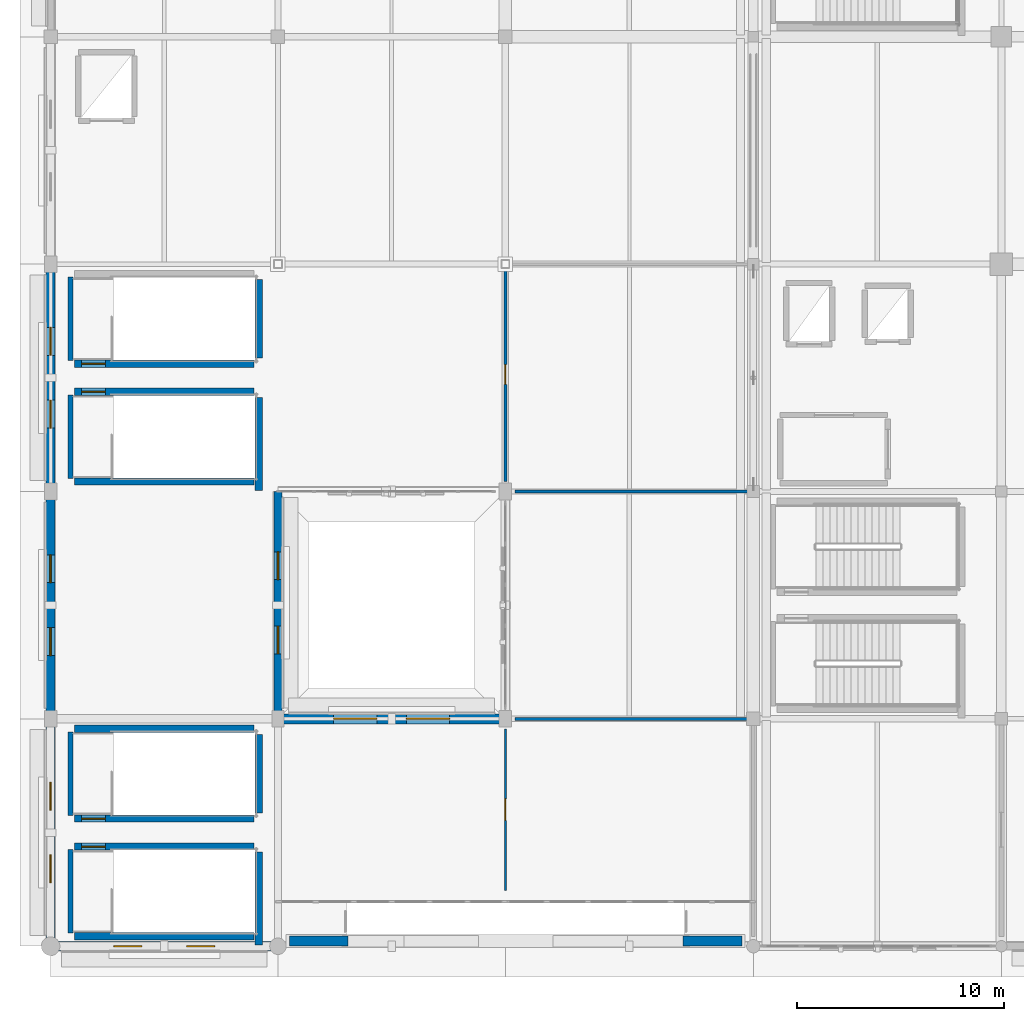
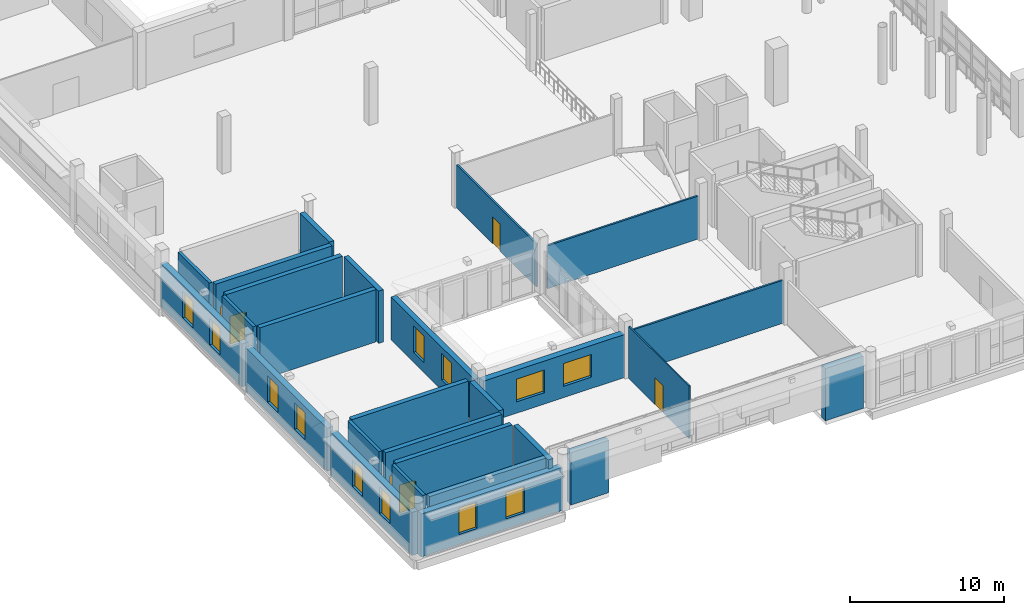
# One storey, part 79 of 118: 27 walls, 12 windows, 6 doors, 18 openings.
"""IFC4 building model written with IfcOpenShell, lengths in metres."""

from ifc_helpers import new_model, si_unit, direction, frame, frame_2d, origin, place, context, subcontext, project, spatial, rectangle, extrude, material, layer, layer_set, type_object, element, fill, save


model = new_model("IFC4")

# Units and contexts
model_context = context("Model", 3, precision=1e-05, world=origin(), true_north=direction((0.0, 1.0)))
body_context = subcontext(model_context, "Body", "Model", "MODEL_VIEW")
ifc_project = project(units=[si_unit("LENGTHUNIT", "METRE"), si_unit("AREAUNIT", "SQUARE_METRE"), si_unit("VOLUMEUNIT", "CUBIC_METRE"), si_unit("PLANEANGLEUNIT", "RADIAN"), si_unit("MASSUNIT", "GRAM", prefix="KILO")], contexts=[model_context])

# Site, building, storey
site_placement = place(None, origin())
site = spatial("IfcSite", under=ifc_project, at=site_placement, CompositionType="ELEMENT")
building_placement = place(site_placement, origin())
building = spatial("IfcBuilding", under=site, at=building_placement, Name="Luwafu Chhajja Arena", CompositionType="ELEMENT")
storey_placement = place(building_placement, frame((0.0, 0.0, 10.199951171875)))
storey = spatial("IfcBuildingStorey", under=building, at=storey_placement, Name="L02", CompositionType="ELEMENT", Elevation=10.199951171875)

# Wall, opening, door
ifc_material_1 = material(Name="Lightweight blockwork partition", Category="masonry")
ifc_layer_1 = layer(ifc_material_1, 0.139892578125, Name="Lightweight blockwork partition")
ifc_layer_set_1 = layer_set([ifc_layer_1], Name="Lightweight blockwork partition")
wall_type_1 = type_object("IfcWallType", Name="Concourse Kiosk Partition 140", PredefinedType="PARTITIONING", material=ifc_layer_set_1)
wall_1_placement = place(storey_placement, frame((22.0, 22.47998046875, 0.0), z_axis=(0.0, 0.0, 1.0), x_axis=(0.0, 1.0, 0.0)))
wall_1 = element("IfcWall", 1, at=wall_1_placement, inside=storey, type_object=wall_type_1, Name="L02 Internal Partition 0271", PredefinedType="PARTITIONING", context=body_context, shape_type="SweptSolid", body=[
    extrude(rectangle(XDim=10.360107421875, YDim=0.139892578125, at=frame_2d((5.18017578125, 0.0))), origin(), (0.0, 0.0, 1.0), 3.405029296875),
])
opening_1_placement = place(wall_1_placement, frame((4.699951171875, 0.0, 0.0)))
opening_1 = element("IfcOpeningElement", 2, at=opening_1_placement, cuts=wall_1, Name="Opening DR-22", PredefinedType="OPENING", context=body_context, shape_type="SweptSolid", body=[
    extrude(rectangle(XDim=0.9599609375, YDim=2.14990234375, at=frame_2d((0.47998046875, 1.074951171875))), frame((0.0, 0.079833984375, 0.0), z_axis=(0.0, -1.0, 0.0), x_axis=(1.0, 0.0, 0.0)), (0.0, 0.0, 1.0), 0.159912109375),
])
ifc_material_2 = material(Name="Hardwood flush office door", Category="wood")
door_type_1 = type_object("IfcDoorType", Name="DR-22", OperationType="NOTDEFINED", PredefinedType="DOOR", material=ifc_material_2)
door_1_placement = place(opening_1_placement, origin())
door_1 = element("IfcDoor", 3, at=door_1_placement, inside=storey, type_object=door_type_1, Name="L02 Interior Door L02-D032", OperationType="SINGLE_SWING_RIGHT", OverallHeight=2.14990234375, OverallWidth=0.9599609375, PredefinedType="DOOR", context=body_context, shape_type="SweptSolid", body=[
    extrude(rectangle(XDim=0.9599609375, YDim=2.14990234375, at=frame_2d((0.47998046875, 1.074951171875))), frame((0.0, 0.02490234375, 0.0), z_axis=(0.0, -1.0, 0.0), x_axis=(1.0, 0.0, 0.0)), (0.0, 0.0, 1.0), 0.050048828125),
])
fill(opening_1, door_1)

# Walls
for number, where, z_axis, x_axis, name in (
    (4, (22.47998046875, 11.0, 0.0), (0.0, 0.0, 1.0), (1.0, 0.0, 0.0), "L02 Internal Partition 0272"),
    (5, (22.47998046875, 22.0, 0.0), (0.0, 0.0, 1.0), (1.0, 0.0, 0.0), "L02 Internal Partition 0273"),
):
    element("IfcWall", number, at=place(storey_placement, frame(where, z_axis=z_axis, x_axis=x_axis)), inside=storey, type_object=wall_type_1, Name=name, PredefinedType="PARTITIONING", context=body_context, shape_type="SweptSolid", body=[
        extrude(rectangle(XDim=11.300048828125, YDim=0.139892578125, at=frame_2d((5.64990234375, 0.0))), origin(), (0.0, 0.0, 1.0), 3.405029296875),
    ])

# Wall, opening, door
ifc_material_3 = material(Name="Gypsum plasterboard partition")
ifc_layer_2 = layer(ifc_material_3, 0.10009765625, Name="Gypsum plasterboard partition")
ifc_layer_set_2 = layer_set([ifc_layer_2], Name="Gypsum plasterboard partition")
wall_type_2 = type_object("IfcWallType", Name="Drywall Lining Partition 100", PredefinedType="PARTITIONING", material=ifc_layer_set_2)
wall_2_placement = place(storey_placement, frame((22.0, 2.699951171875, 0.0), z_axis=(0.0, 0.0, 1.0), x_axis=(0.0, 1.0, 0.0)))
wall_2 = element("IfcWall", 6, at=wall_2_placement, inside=storey, type_object=wall_type_2, Name="L02 Internal Partition 0270", PredefinedType="PARTITIONING", context=body_context, shape_type="SweptSolid", body=[
    extrude(rectangle(XDim=7.820068359375, YDim=0.10009765625, at=frame_2d((3.91015625, 0.0))), origin(), (0.0, 0.0, 1.0), 4.14013671875),
])
opening_2_placement = place(wall_2_placement, frame((3.389892578125, 0.0, 0.0)))
opening_2 = element("IfcOpeningElement", 7, at=opening_2_placement, cuts=wall_2, Name="Opening DR-28", PredefinedType="OPENING", context=body_context, shape_type="SweptSolid", body=[
    extrude(rectangle(XDim=1.0400390625, YDim=2.14990234375, at=frame_2d((0.52001953125, 1.074951171875))), frame((0.0, 0.06005859375, 0.0), z_axis=(0.0, -1.0, 0.0), x_axis=(1.0, 0.0, 0.0)), (0.0, 0.0, 1.0), 0.1201171875),
])
ifc_material_4 = material(Name="Moisture-resistant laminate leaf")
door_type_2 = type_object("IfcDoorType", Name="DR-28", OperationType="NOTDEFINED", PredefinedType="DOOR", material=ifc_material_4)
door_2_placement = place(opening_2_placement, origin())
door_2 = element("IfcDoor", 8, at=door_2_placement, inside=storey, type_object=door_type_2, Name="L02 Interior Door L02-D031", OperationType="SINGLE_SWING_LEFT", OverallHeight=2.14990234375, OverallWidth=1.0400390625, PredefinedType="DOOR", context=body_context, shape_type="SweptSolid", body=[
    extrude(rectangle(XDim=1.0400390625, YDim=2.14990234375, at=frame_2d((0.52001953125, 1.074951171875))), frame((0.0, 0.02490234375, 0.0), z_axis=(0.0, -1.0, 0.0), x_axis=(1.0, 0.0, 0.0)), (0.0, 0.0, 1.0), 0.050048828125),
])
fill(opening_2, door_2)

# Walls
ifc_material_5 = material(Name="Concrete C40/50", Category="concrete")
ifc_layer_3 = layer(ifc_material_5, 0.47998046875, Name="Concrete C40/50")
ifc_layer_set_3 = layer_set([ifc_layer_3], Name="Concrete C40/50")
wall_type_3 = type_object("IfcWallType", Name="Pishtaq Portal Ashlar Wall 480", PredefinedType="SOLIDWALL", material=ifc_layer_set_3)
for number, where, z_axis, x_axis, name in (
    (9, (11.550048828125, 0.25, 0.0), (0.0, 0.0, 1.0), (1.0, 0.0, 0.0), "L02 Pishtaq Portal West Cheek Pier"),
    (10, (30.60009765625, 0.25, 0.0), (0.0, 0.0, 1.0), (1.0, 0.0, 0.0), "L02 Pishtaq Portal East Cheek Pier"),
):
    element("IfcWall", number, at=place(storey_placement, frame(where, z_axis=z_axis, x_axis=x_axis)), inside=storey, type_object=wall_type_3, Name=name, PredefinedType="SOLIDWALL", context=body_context, shape_type="SweptSolid", body=[
        extrude(rectangle(XDim=2.849853515625, YDim=0.47998046875, at=frame_2d((1.4248046875, 0.0))), origin(), (0.0, 0.0, 1.0), 4.14013671875),
    ])

# Wall, openings, windows
wall_3_placement = place(storey_placement, frame((11.219970703125, 11.0, 0.0), z_axis=(0.0, 0.0, 1.0), x_axis=(1.0, 0.0, 0.0)))
wall_3 = element("IfcWall", 11, at=wall_3_placement, inside=storey, type_object=wall_type_3, Name="L02 Exterior Wall WEX-L02-156", PredefinedType="SOLIDWALL", context=body_context, shape_type="SweptSolid", body=[
    extrude(rectangle(XDim=10.56005859375, YDim=0.47998046875, at=frame_2d((5.280029296875, 0.0))), origin(), (0.0, 0.0, 1.0), 3.405029296875),
])
opening_3_placement = place(wall_3_placement, frame((2.469970703125, 0.0, 0.89990234375)))
opening_3 = element("IfcOpeningElement", 12, at=opening_3_placement, cuts=wall_3, Name="Opening WN-05", PredefinedType="OPENING", context=body_context, shape_type="SweptSolid", body=[
    extrude(rectangle(XDim=2.10009765625, YDim=1.800048828125, at=frame_2d((1.050048828125, 0.89990234375))), frame((0.0, 0.25, 0.0), z_axis=(0.0, -1.0, 0.0), x_axis=(1.0, 0.0, 0.0)), (0.0, 0.0, 1.0), 0.5),
])
opening_4_placement = place(wall_3_placement, frame((5.989990234375, 0.0, 0.89990234375)))
opening_4 = element("IfcOpeningElement", 13, at=opening_4_placement, cuts=wall_3, Name="Opening WN-05", PredefinedType="OPENING", context=body_context, shape_type="SweptSolid", body=[
    extrude(rectangle(XDim=2.10009765625, YDim=1.800048828125, at=frame_2d((1.050048828125, 0.89990234375))), frame((0.0, 0.25, 0.0), z_axis=(0.0, -1.0, 0.0), x_axis=(1.0, 0.0, 0.0)), (0.0, 0.0, 1.0), 0.5),
])
ifc_material_6 = material(Name="Solar-control laminated glass", Category="glass")
window_type_1 = type_object("IfcWindowType", Name="Concourse Jali-Shaded Window 2100x1800", PartitioningType="SINGLE_PANEL", PredefinedType="WINDOW", material=ifc_material_6)
window_1_placement = place(opening_3_placement, origin())
window_1 = element("IfcWindow", 14, at=window_1_placement, inside=storey, type_object=window_type_1, Name="L02 Facade Window 089", OverallHeight=1.800048828125, OverallWidth=2.10009765625, PartitioningType="SINGLE_PANEL", PredefinedType="WINDOW", context=body_context, shape_type="SweptSolid", body=[
    extrude(rectangle(XDim=2.10009765625, YDim=1.800048828125, at=frame_2d((1.050048828125, 0.89990234375))), frame((0.0, 0.030029296875, 0.0), z_axis=(0.0, -1.0, 0.0), x_axis=(1.0, 0.0, 0.0)), (0.0, 0.0, 1.0), 0.06005859375),
])
fill(opening_3, window_1)
window_2_placement = place(opening_4_placement, origin())
window_2 = element("IfcWindow", 15, at=window_2_placement, inside=storey, type_object=window_type_1, Name="L02 Facade Window 090", OverallHeight=1.800048828125, OverallWidth=2.10009765625, PartitioningType="SINGLE_PANEL", PredefinedType="WINDOW", context=body_context, shape_type="SweptSolid", body=[
    extrude(rectangle(XDim=2.10009765625, YDim=1.800048828125, at=frame_2d((1.050048828125, 0.89990234375))), frame((0.0, 0.030029296875, 0.0), z_axis=(0.0, -1.0, 0.0), x_axis=(1.0, 0.0, 0.0)), (0.0, 0.0, 1.0), 0.06005859375),
])
fill(opening_4, window_2)

# Walls
ifc_layer_4 = layer(ifc_material_5, 0.35009765625, Name="Concrete C40/50")
ifc_layer_set_4 = layer_set([ifc_layer_4], Name="Concrete C40/50")
wall_type_4 = type_object("IfcWallType", Name="RC Core Shear Wall 350", PredefinedType="SOLIDWALL", material=ifc_layer_set_4)
wall_4_placement = place(storey_placement, frame((10.072021484375, 22.050048828125, 0.0), z_axis=(0.0, 0.0, 1.0), x_axis=(0.0, 1.0, 0.0)))
element("IfcWall", 16, at=wall_4_placement, inside=storey, type_object=wall_type_4, Name="L02 Stair ST-13 Core Shear Wall E", PredefinedType="SOLIDWALL", context=body_context, shape_type="SweptSolid", body=[
    extrude(rectangle(XDim=4.5, YDim=0.35009765625, at=frame_2d((2.25, 0.0))), origin(), (0.0, 0.0, 1.0), 4.14013671875),
])
wall_5_placement = place(storey_placement, frame((1.14990234375, 22.47802734375, 0.0), z_axis=(0.0, 0.0, 1.0), x_axis=(1.0, 0.0, 0.0)))
element("IfcWall", 17, at=wall_5_placement, inside=storey, type_object=wall_type_4, Name="L02 Stair ST-13 Core Shear Wall S", PredefinedType="SOLIDWALL", context=body_context, shape_type="SweptSolid", body=[
    extrude(rectangle(XDim=8.7001953125, YDim=0.35009765625, at=frame_2d((4.35009765625, 0.0))), origin(), (0.0, 0.0, 1.0), 4.14013671875),
])

# Wall, opening, door
wall_6_placement = place(storey_placement, frame((1.14990234375, 26.822021484375, 0.0), z_axis=(0.0, 0.0, 1.0), x_axis=(1.0, 0.0, 0.0)))
wall_6 = element("IfcWall", 18, at=wall_6_placement, inside=storey, type_object=wall_type_4, Name="L02 Stair ST-13 Core Shear Wall N", PredefinedType="SOLIDWALL", context=body_context, shape_type="SweptSolid", body=[
    extrude(rectangle(XDim=8.7001953125, YDim=0.35009765625, at=frame_2d((4.35009765625, 0.0))), origin(), (0.0, 0.0, 1.0), 4.14013671875),
])
opening_5_placement = place(wall_6_placement, frame((0.35009765625, 0.0, 0.0)))
opening_5 = element("IfcOpeningElement", 19, at=opening_5_placement, cuts=wall_6, Name="Opening DR-06", PredefinedType="OPENING", context=body_context, shape_type="SweptSolid", body=[
    extrude(rectangle(XDim=1.14990234375, YDim=2.199951171875, at=frame_2d((0.574951171875, 1.10009765625))), frame((0.0, 0.18505859375, 0.0), z_axis=(0.0, -1.0, 0.0), x_axis=(1.0, 0.0, 0.0)), (0.0, 0.0, 1.0), 0.3701171875),
])
ifc_material_7 = material(Name="Fire-rated hardwood and steel core", Category="steel")
door_type_3 = type_object("IfcDoorType", Name="DR-06", OperationType="NOTDEFINED", PredefinedType="DOOR", material=ifc_material_7)
door_3_placement = place(opening_5_placement, origin())
door_3 = element("IfcDoor", 20, at=door_3_placement, inside=storey, type_object=door_type_3, Name="L02 Escape Stair ST-13 Fire Door L02-D021", OperationType="SINGLE_SWING_RIGHT", OverallHeight=2.199951171875, OverallWidth=1.14990234375, PredefinedType="DOOR", context=body_context, shape_type="SweptSolid", body=[
    extrude(rectangle(XDim=1.14990234375, YDim=2.199951171875, at=frame_2d((0.574951171875, 1.10009765625))), frame((0.0, 0.02490234375, 0.0), z_axis=(0.0, -1.0, 0.0), x_axis=(1.0, 0.0, 0.0)), (0.0, 0.0, 1.0), 0.050048828125),
])
fill(opening_5, door_3)

# Wall
wall_7_placement = place(storey_placement, frame((10.072021484375, 28.449951171875, 0.0), z_axis=(0.0, 0.0, 1.0), x_axis=(0.0, 1.0, 0.0)))
element("IfcWall", 21, at=wall_7_placement, inside=storey, type_object=wall_type_4, Name="L02 Stair ST-14 Core Shear Wall E", PredefinedType="SOLIDWALL", context=body_context, shape_type="SweptSolid", body=[
    extrude(rectangle(XDim=3.800048828125, YDim=0.35009765625, at=frame_2d((1.89990234375, 0.0))), origin(), (0.0, 0.0, 1.0), 4.14013671875),
])

# Wall, opening, door
wall_8_placement = place(storey_placement, frame((1.14990234375, 28.177978515625, 0.0), z_axis=(0.0, 0.0, 1.0), x_axis=(1.0, 0.0, 0.0)))
wall_8 = element("IfcWall", 22, at=wall_8_placement, inside=storey, type_object=wall_type_4, Name="L02 Stair ST-14 Core Shear Wall S", PredefinedType="SOLIDWALL", context=body_context, shape_type="SweptSolid", body=[
    extrude(rectangle(XDim=8.7001953125, YDim=0.35009765625, at=frame_2d((4.35009765625, 0.0))), origin(), (0.0, 0.0, 1.0), 4.14013671875),
])
opening_6_placement = place(wall_8_placement, frame((0.35009765625, 0.0, 0.0)))
opening_6 = element("IfcOpeningElement", 23, at=opening_6_placement, cuts=wall_8, Name="Opening DR-06", PredefinedType="OPENING", context=body_context, shape_type="SweptSolid", body=[
    extrude(rectangle(XDim=1.14990234375, YDim=2.199951171875, at=frame_2d((0.574951171875, 1.10009765625))), frame((0.0, 0.18505859375, 0.0), z_axis=(0.0, -1.0, 0.0), x_axis=(1.0, 0.0, 0.0)), (0.0, 0.0, 1.0), 0.3701171875),
])
door_4_placement = place(opening_6_placement, origin())
door_4 = element("IfcDoor", 24, at=door_4_placement, inside=storey, type_object=door_type_3, Name="L02 Escape Stair ST-14 Fire Door L02-D022", OperationType="SINGLE_SWING_LEFT", OverallHeight=2.199951171875, OverallWidth=1.14990234375, PredefinedType="DOOR", context=body_context, shape_type="SweptSolid", body=[
    extrude(rectangle(XDim=1.14990234375, YDim=2.199951171875, at=frame_2d((0.574951171875, 1.10009765625))), frame((0.0, 0.02490234375, 0.0), z_axis=(0.0, -1.0, 0.0), x_axis=(1.0, 0.0, 0.0)), (0.0, 0.0, 1.0), 0.050048828125),
])
fill(opening_6, door_4)

# Walls
wall_9_placement = place(storey_placement, frame((10.072021484375, 0.050048828125, 0.0), z_axis=(0.0, 0.0, 1.0), x_axis=(0.0, 1.0, 0.0)))
element("IfcWall", 25, at=wall_9_placement, inside=storey, type_object=wall_type_4, Name="L02 Stair ST-17 Core Shear Wall E", PredefinedType="SOLIDWALL", context=body_context, shape_type="SweptSolid", body=[
    extrude(rectangle(XDim=4.5, YDim=0.35009765625, at=frame_2d((2.25, 0.0))), origin(), (0.0, 0.0, 1.0), 4.14013671875),
])
wall_10_placement = place(storey_placement, frame((1.14990234375, 0.47802734375, 0.0), z_axis=(0.0, 0.0, 1.0), x_axis=(1.0, 0.0, 0.0)))
element("IfcWall", 26, at=wall_10_placement, inside=storey, type_object=wall_type_4, Name="L02 Stair ST-17 Core Shear Wall S", PredefinedType="SOLIDWALL", context=body_context, shape_type="SweptSolid", body=[
    extrude(rectangle(XDim=8.7001953125, YDim=0.35009765625, at=frame_2d((4.35009765625, 0.0))), origin(), (0.0, 0.0, 1.0), 4.14013671875),
])

# Wall, opening, door
wall_11_placement = place(storey_placement, frame((1.14990234375, 4.822021484375, 0.0), z_axis=(0.0, 0.0, 1.0), x_axis=(1.0, 0.0, 0.0)))
wall_11 = element("IfcWall", 27, at=wall_11_placement, inside=storey, type_object=wall_type_4, Name="L02 Stair ST-17 Core Shear Wall N", PredefinedType="SOLIDWALL", context=body_context, shape_type="SweptSolid", body=[
    extrude(rectangle(XDim=8.7001953125, YDim=0.35009765625, at=frame_2d((4.35009765625, 0.0))), origin(), (0.0, 0.0, 1.0), 4.14013671875),
])
opening_7_placement = place(wall_11_placement, frame((0.35009765625, 0.0, 0.0)))
opening_7 = element("IfcOpeningElement", 28, at=opening_7_placement, cuts=wall_11, Name="Opening DR-06", PredefinedType="OPENING", context=body_context, shape_type="SweptSolid", body=[
    extrude(rectangle(XDim=1.14990234375, YDim=2.199951171875, at=frame_2d((0.574951171875, 1.10009765625))), frame((0.0, 0.18505859375, 0.0), z_axis=(0.0, -1.0, 0.0), x_axis=(1.0, 0.0, 0.0)), (0.0, 0.0, 1.0), 0.3701171875),
])
door_5_placement = place(opening_7_placement, origin())
door_5 = element("IfcDoor", 29, at=door_5_placement, inside=storey, type_object=door_type_3, Name="L02 Escape Stair ST-17 Fire Door L02-D025", OperationType="SINGLE_SWING_RIGHT", OverallHeight=2.199951171875, OverallWidth=1.14990234375, PredefinedType="DOOR", context=body_context, shape_type="SweptSolid", body=[
    extrude(rectangle(XDim=1.14990234375, YDim=2.199951171875, at=frame_2d((0.574951171875, 1.10009765625))), frame((0.0, 0.02490234375, 0.0), z_axis=(0.0, -1.0, 0.0), x_axis=(1.0, 0.0, 0.0)), (0.0, 0.0, 1.0), 0.050048828125),
])
fill(opening_7, door_5)

# Wall
wall_12_placement = place(storey_placement, frame((10.072021484375, 6.449951171875, 0.0), z_axis=(0.0, 0.0, 1.0), x_axis=(0.0, 1.0, 0.0)))
element("IfcWall", 30, at=wall_12_placement, inside=storey, type_object=wall_type_4, Name="L02 Stair ST-18 Core Shear Wall E", PredefinedType="SOLIDWALL", context=body_context, shape_type="SweptSolid", body=[
    extrude(rectangle(XDim=3.800048828125, YDim=0.35009765625, at=frame_2d((1.89990234375, 0.0))), origin(), (0.0, 0.0, 1.0), 4.14013671875),
])

# Wall, opening, door
wall_13_placement = place(storey_placement, frame((1.14990234375, 6.177978515625, 0.0), z_axis=(0.0, 0.0, 1.0), x_axis=(1.0, 0.0, 0.0)))
wall_13 = element("IfcWall", 31, at=wall_13_placement, inside=storey, type_object=wall_type_4, Name="L02 Stair ST-18 Core Shear Wall S", PredefinedType="SOLIDWALL", context=body_context, shape_type="SweptSolid", body=[
    extrude(rectangle(XDim=8.7001953125, YDim=0.35009765625, at=frame_2d((4.35009765625, 0.0))), origin(), (0.0, 0.0, 1.0), 4.14013671875),
])
opening_8_placement = place(wall_13_placement, frame((0.35009765625, 0.0, 0.0)))
opening_8 = element("IfcOpeningElement", 32, at=opening_8_placement, cuts=wall_13, Name="Opening DR-06", PredefinedType="OPENING", context=body_context, shape_type="SweptSolid", body=[
    extrude(rectangle(XDim=1.14990234375, YDim=2.199951171875, at=frame_2d((0.574951171875, 1.10009765625))), frame((0.0, 0.18505859375, 0.0), z_axis=(0.0, -1.0, 0.0), x_axis=(1.0, 0.0, 0.0)), (0.0, 0.0, 1.0), 0.3701171875),
])
door_6_placement = place(opening_8_placement, origin())
door_6 = element("IfcDoor", 33, at=door_6_placement, inside=storey, type_object=door_type_3, Name="L02 Escape Stair ST-18 Fire Door L02-D026", OperationType="SINGLE_SWING_LEFT", OverallHeight=2.199951171875, OverallWidth=1.14990234375, PredefinedType="DOOR", context=body_context, shape_type="SweptSolid", body=[
    extrude(rectangle(XDim=1.14990234375, YDim=2.199951171875, at=frame_2d((0.574951171875, 1.10009765625))), frame((0.0, 0.02490234375, 0.0), z_axis=(0.0, -1.0, 0.0), x_axis=(1.0, 0.0, 0.0)), (0.0, 0.0, 1.0), 0.050048828125),
])
fill(opening_8, door_6)

# Wall
wall_14_placement = place(storey_placement, frame((1.14990234375, 10.52197265625, 0.0), z_axis=(0.0, 0.0, 1.0), x_axis=(1.0, 0.0, 0.0)))
element("IfcWall", 34, at=wall_14_placement, inside=storey, type_object=wall_type_4, Name="L02 Stair ST-18 Core Shear Wall N", PredefinedType="SOLIDWALL", context=body_context, shape_type="SweptSolid", body=[
    extrude(rectangle(XDim=8.7001953125, YDim=0.35009765625, at=frame_2d((4.35009765625, 0.0))), origin(), (0.0, 0.0, 1.0), 4.14013671875),
])

# Wall, openings, windows
ifc_layer_5 = layer(ifc_material_5, 0.39990234375, Name="Concrete C40/50")
ifc_layer_set_5 = layer_set([ifc_layer_5], Name="Concrete C40/50")
wall_type_5 = type_object("IfcWallType", Name="RC Core Shear Wall 400", PredefinedType="SOLIDWALL", material=ifc_layer_set_5)
wall_15_placement = place(storey_placement, frame((11.0, 11.219970703125, 0.0), z_axis=(0.0, 0.0, 1.0), x_axis=(0.0, 1.0, 0.0)))
wall_15 = element("IfcWall", 35, at=wall_15_placement, inside=storey, type_object=wall_type_5, Name="L02 Exterior Wall WEX-L02-148", PredefinedType="SOLIDWALL", context=body_context, shape_type="SweptSolid", body=[
    extrude(rectangle(XDim=10.780029296875, YDim=0.39990234375, at=frame_2d((5.39013671875, 0.0))), origin(), (0.0, 0.0, 1.0), 3.405029296875),
])
opening_9_placement = place(wall_15_placement, frame((2.918212890625, 0.0, 0.800048828125)))
opening_9 = element("IfcOpeningElement", 36, at=opening_9_placement, cuts=wall_15, Name="Opening WN-17", PredefinedType="OPENING", context=body_context, shape_type="SweptSolid", body=[
    extrude(rectangle(XDim=1.35009765625, YDim=2.10009765625, at=frame_2d((0.675048828125, 1.050048828125))), frame((0.0, 0.2099609375, 0.0), z_axis=(0.0, -1.0, 0.0), x_axis=(1.0, 0.0, 0.0)), (0.0, 0.0, 1.0), 0.419921875),
])
opening_10_placement = place(wall_15_placement, frame((6.51171875, 0.0, 0.800048828125)))
opening_10 = element("IfcOpeningElement", 37, at=opening_10_placement, cuts=wall_15, Name="Opening WN-17", PredefinedType="OPENING", context=body_context, shape_type="SweptSolid", body=[
    extrude(rectangle(XDim=1.35009765625, YDim=2.10009765625, at=frame_2d((0.675048828125, 1.050048828125))), frame((0.0, 0.2099609375, 0.0), z_axis=(0.0, -1.0, 0.0), x_axis=(1.0, 0.0, 0.0)), (0.0, 0.0, 1.0), 0.419921875),
])
window_type_2 = type_object("IfcWindowType", Name="Exhibition Mezzanine Lancet Window 1350x2100", PartitioningType="SINGLE_PANEL", PredefinedType="WINDOW", material=ifc_material_6)
window_3_placement = place(opening_9_placement, origin())
window_3 = element("IfcWindow", 38, at=window_3_placement, inside=storey, type_object=window_type_2, Name="L02 Facade Window 074", OverallHeight=2.10009765625, OverallWidth=1.35009765625, PartitioningType="SINGLE_PANEL", PredefinedType="WINDOW", context=body_context, shape_type="SweptSolid", body=[
    extrude(rectangle(XDim=1.35009765625, YDim=2.10009765625, at=frame_2d((0.675048828125, 1.050048828125))), frame((0.0, 0.030029296875, 0.0), z_axis=(0.0, -1.0, 0.0), x_axis=(1.0, 0.0, 0.0)), (0.0, 0.0, 1.0), 0.06005859375),
])
fill(opening_9, window_3)
window_4_placement = place(opening_10_placement, origin())
window_4 = element("IfcWindow", 39, at=window_4_placement, inside=storey, type_object=window_type_2, Name="L02 Facade Window 075", OverallHeight=2.10009765625, OverallWidth=1.35009765625, PartitioningType="SINGLE_PANEL", PredefinedType="WINDOW", context=body_context, shape_type="SweptSolid", body=[
    extrude(rectangle(XDim=1.35009765625, YDim=2.10009765625, at=frame_2d((0.675048828125, 1.050048828125))), frame((0.0, 0.030029296875, 0.0), z_axis=(0.0, -1.0, 0.0), x_axis=(1.0, 0.0, 0.0)), (0.0, 0.0, 1.0), 0.06005859375),
])
fill(opening_10, window_4)

ifc_layer_6 = layer(ifc_material_5, 0.449951171875, Name="Concrete C40/50")
ifc_layer_set_6 = layer_set([ifc_layer_6], Name="Concrete C40/50")
wall_type_6 = type_object("IfcWallType", Name="RC Core Shear Wall 450", PredefinedType="SOLIDWALL", material=ifc_layer_set_6)
wall_16_placement = place(storey_placement, frame((0.219970703125, 0.0, 0.0), z_axis=(0.0, 0.0, 1.0), x_axis=(1.0, 0.0, 0.0)))
wall_16 = element("IfcWall", 40, at=wall_16_placement, inside=storey, type_object=wall_type_6, Name="L02 Exterior Wall WEX-L02-145", PredefinedType="SOLIDWALL", context=body_context, shape_type="SweptSolid", body=[
    extrude(rectangle(XDim=10.56005859375, YDim=0.449951171875, at=frame_2d((5.280029296875, 0.0))), origin(), (0.0, 0.0, 1.0), 3.405029296875),
])
opening_11_placement = place(wall_16_placement, frame((2.844970703125, 0.0, 0.800048828125)))
opening_11 = element("IfcOpeningElement", 41, at=opening_11_placement, cuts=wall_16, Name="Opening WN-17", PredefinedType="OPENING", context=body_context, shape_type="SweptSolid", body=[
    extrude(rectangle(XDim=1.35009765625, YDim=2.10009765625, at=frame_2d((0.675048828125, 1.050048828125))), frame((0.0, 0.23486328125, 0.0), z_axis=(0.0, -1.0, 0.0), x_axis=(1.0, 0.0, 0.0)), (0.0, 0.0, 1.0), 0.469970703125),
])
opening_12_placement = place(wall_16_placement, frame((6.364990234375, 0.0, 0.800048828125)))
opening_12 = element("IfcOpeningElement", 42, at=opening_12_placement, cuts=wall_16, Name="Opening WN-17", PredefinedType="OPENING", context=body_context, shape_type="SweptSolid", body=[
    extrude(rectangle(XDim=1.35009765625, YDim=2.10009765625, at=frame_2d((0.675048828125, 1.050048828125))), frame((0.0, 0.23486328125, 0.0), z_axis=(0.0, -1.0, 0.0), x_axis=(1.0, 0.0, 0.0)), (0.0, 0.0, 1.0), 0.469970703125),
])
window_5_placement = place(opening_11_placement, origin())
window_5 = element("IfcWindow", 43, at=window_5_placement, inside=storey, type_object=window_type_2, Name="L02 Facade Window 068", OverallHeight=2.10009765625, OverallWidth=1.35009765625, PartitioningType="SINGLE_PANEL", PredefinedType="WINDOW", context=body_context, shape_type="SweptSolid", body=[
    extrude(rectangle(XDim=1.35009765625, YDim=2.10009765625, at=frame_2d((0.675048828125, 1.050048828125))), frame((0.0, 0.030029296875, 0.0), z_axis=(0.0, -1.0, 0.0), x_axis=(1.0, 0.0, 0.0)), (0.0, 0.0, 1.0), 0.06005859375),
])
fill(opening_11, window_5)
window_6_placement = place(opening_12_placement, origin())
window_6 = element("IfcWindow", 44, at=window_6_placement, inside=storey, type_object=window_type_2, Name="L02 Facade Window 069", OverallHeight=2.10009765625, OverallWidth=1.35009765625, PartitioningType="SINGLE_PANEL", PredefinedType="WINDOW", context=body_context, shape_type="SweptSolid", body=[
    extrude(rectangle(XDim=1.35009765625, YDim=2.10009765625, at=frame_2d((0.675048828125, 1.050048828125))), frame((0.0, 0.030029296875, 0.0), z_axis=(0.0, -1.0, 0.0), x_axis=(1.0, 0.0, 0.0)), (0.0, 0.0, 1.0), 0.06005859375),
])
fill(opening_12, window_6)

wall_17_placement = place(storey_placement, frame((0.0, 0.219970703125, 0.0), z_axis=(0.0, 0.0, 1.0), x_axis=(0.0, 1.0, 0.0)))
wall_17 = element("IfcWall", 45, at=wall_17_placement, inside=storey, type_object=wall_type_6, Name="L02 Exterior Wall WEX-L02-146", PredefinedType="SOLIDWALL", context=body_context, shape_type="SweptSolid", body=[
    extrude(rectangle(XDim=10.56005859375, YDim=0.449951171875, at=frame_2d((5.280029296875, 0.0))), origin(), (0.0, 0.0, 1.0), 3.405029296875),
])
opening_13_placement = place(wall_17_placement, frame((2.844970703125, 0.0, 0.800048828125)))
opening_13 = element("IfcOpeningElement", 46, at=opening_13_placement, cuts=wall_17, Name="Opening WN-17", PredefinedType="OPENING", context=body_context, shape_type="SweptSolid", body=[
    extrude(rectangle(XDim=1.35009765625, YDim=2.10009765625, at=frame_2d((0.675048828125, 1.050048828125))), frame((0.0, 0.23486328125, 0.0), z_axis=(0.0, -1.0, 0.0), x_axis=(1.0, 0.0, 0.0)), (0.0, 0.0, 1.0), 0.469970703125),
])
opening_14_placement = place(wall_17_placement, frame((6.364990234375, 0.0, 0.800048828125)))
opening_14 = element("IfcOpeningElement", 47, at=opening_14_placement, cuts=wall_17, Name="Opening WN-17", PredefinedType="OPENING", context=body_context, shape_type="SweptSolid", body=[
    extrude(rectangle(XDim=1.35009765625, YDim=2.10009765625, at=frame_2d((0.675048828125, 1.050048828125))), frame((0.0, 0.23486328125, 0.0), z_axis=(0.0, -1.0, 0.0), x_axis=(1.0, 0.0, 0.0)), (0.0, 0.0, 1.0), 0.469970703125),
])
window_7_placement = place(opening_13_placement, origin())
window_7 = element("IfcWindow", 48, at=window_7_placement, inside=storey, type_object=window_type_2, Name="L02 Facade Window 070", OverallHeight=2.10009765625, OverallWidth=1.35009765625, PartitioningType="SINGLE_PANEL", PredefinedType="WINDOW", context=body_context, shape_type="SweptSolid", body=[
    extrude(rectangle(XDim=1.35009765625, YDim=2.10009765625, at=frame_2d((0.675048828125, 1.050048828125))), frame((0.0, 0.030029296875, 0.0), z_axis=(0.0, -1.0, 0.0), x_axis=(1.0, 0.0, 0.0)), (0.0, 0.0, 1.0), 0.06005859375),
])
fill(opening_13, window_7)
window_8_placement = place(opening_14_placement, origin())
window_8 = element("IfcWindow", 49, at=window_8_placement, inside=storey, type_object=window_type_2, Name="L02 Facade Window 071", OverallHeight=2.10009765625, OverallWidth=1.35009765625, PartitioningType="SINGLE_PANEL", PredefinedType="WINDOW", context=body_context, shape_type="SweptSolid", body=[
    extrude(rectangle(XDim=1.35009765625, YDim=2.10009765625, at=frame_2d((0.675048828125, 1.050048828125))), frame((0.0, 0.030029296875, 0.0), z_axis=(0.0, -1.0, 0.0), x_axis=(1.0, 0.0, 0.0)), (0.0, 0.0, 1.0), 0.06005859375),
])
fill(opening_14, window_8)

wall_18_placement = place(storey_placement, frame((0.0, 11.219970703125, 0.0), z_axis=(0.0, 0.0, 1.0), x_axis=(0.0, 1.0, 0.0)))
wall_18 = element("IfcWall", 50, at=wall_18_placement, inside=storey, type_object=wall_type_6, Name="L02 Exterior Wall WEX-L02-147", PredefinedType="SOLIDWALL", context=body_context, shape_type="SweptSolid", body=[
    extrude(rectangle(XDim=10.56005859375, YDim=0.449951171875, at=frame_2d((5.280029296875, 0.0))), origin(), (0.0, 0.0, 1.0), 3.405029296875),
])
opening_15_placement = place(wall_18_placement, frame((2.844970703125, 0.0, 0.800048828125)))
opening_15 = element("IfcOpeningElement", 51, at=opening_15_placement, cuts=wall_18, Name="Opening WN-17", PredefinedType="OPENING", context=body_context, shape_type="SweptSolid", body=[
    extrude(rectangle(XDim=1.35009765625, YDim=2.10009765625, at=frame_2d((0.675048828125, 1.050048828125))), frame((0.0, 0.23486328125, 0.0), z_axis=(0.0, -1.0, 0.0), x_axis=(1.0, 0.0, 0.0)), (0.0, 0.0, 1.0), 0.469970703125),
])
opening_16_placement = place(wall_18_placement, frame((6.364990234375, 0.0, 0.800048828125)))
opening_16 = element("IfcOpeningElement", 52, at=opening_16_placement, cuts=wall_18, Name="Opening WN-17", PredefinedType="OPENING", context=body_context, shape_type="SweptSolid", body=[
    extrude(rectangle(XDim=1.35009765625, YDim=2.10009765625, at=frame_2d((0.675048828125, 1.050048828125))), frame((0.0, 0.23486328125, 0.0), z_axis=(0.0, -1.0, 0.0), x_axis=(1.0, 0.0, 0.0)), (0.0, 0.0, 1.0), 0.469970703125),
])
window_9_placement = place(opening_15_placement, origin())
window_9 = element("IfcWindow", 53, at=window_9_placement, inside=storey, type_object=window_type_2, Name="L02 Facade Window 072", OverallHeight=2.10009765625, OverallWidth=1.35009765625, PartitioningType="SINGLE_PANEL", PredefinedType="WINDOW", context=body_context, shape_type="SweptSolid", body=[
    extrude(rectangle(XDim=1.35009765625, YDim=2.10009765625, at=frame_2d((0.675048828125, 1.050048828125))), frame((0.0, 0.030029296875, 0.0), z_axis=(0.0, -1.0, 0.0), x_axis=(1.0, 0.0, 0.0)), (0.0, 0.0, 1.0), 0.06005859375),
])
fill(opening_15, window_9)
window_10_placement = place(opening_16_placement, origin())
window_10 = element("IfcWindow", 54, at=window_10_placement, inside=storey, type_object=window_type_2, Name="L02 Facade Window 073", OverallHeight=2.10009765625, OverallWidth=1.35009765625, PartitioningType="SINGLE_PANEL", PredefinedType="WINDOW", context=body_context, shape_type="SweptSolid", body=[
    extrude(rectangle(XDim=1.35009765625, YDim=2.10009765625, at=frame_2d((0.675048828125, 1.050048828125))), frame((0.0, 0.030029296875, 0.0), z_axis=(0.0, -1.0, 0.0), x_axis=(1.0, 0.0, 0.0)), (0.0, 0.0, 1.0), 0.06005859375),
])
fill(opening_16, window_10)

wall_19_placement = place(storey_placement, frame((0.0, 22.219970703125, 0.0), z_axis=(0.0, 0.0, 1.0), x_axis=(0.0, 1.0, 0.0)))
wall_19 = element("IfcWall", 55, at=wall_19_placement, inside=storey, type_object=wall_type_6, Name="L02 Exterior Wall WEX-L02-149", PredefinedType="SOLIDWALL", context=body_context, shape_type="SweptSolid", body=[
    extrude(rectangle(XDim=10.56005859375, YDim=0.449951171875, at=frame_2d((5.280029296875, 0.0))), origin(), (0.0, 0.0, 1.0), 3.405029296875),
])
opening_17_placement = place(wall_19_placement, frame((2.844970703125, 0.0, 0.800048828125)))
opening_17 = element("IfcOpeningElement", 56, at=opening_17_placement, cuts=wall_19, Name="Opening WN-17", PredefinedType="OPENING", context=body_context, shape_type="SweptSolid", body=[
    extrude(rectangle(XDim=1.35009765625, YDim=2.10009765625, at=frame_2d((0.675048828125, 1.050048828125))), frame((0.0, 0.23486328125, 0.0), z_axis=(0.0, -1.0, 0.0), x_axis=(1.0, 0.0, 0.0)), (0.0, 0.0, 1.0), 0.469970703125),
])
opening_18_placement = place(wall_19_placement, frame((6.364990234375, 0.0, 0.800048828125)))
opening_18 = element("IfcOpeningElement", 57, at=opening_18_placement, cuts=wall_19, Name="Opening WN-17", PredefinedType="OPENING", context=body_context, shape_type="SweptSolid", body=[
    extrude(rectangle(XDim=1.35009765625, YDim=2.10009765625, at=frame_2d((0.675048828125, 1.050048828125))), frame((0.0, 0.23486328125, 0.0), z_axis=(0.0, -1.0, 0.0), x_axis=(1.0, 0.0, 0.0)), (0.0, 0.0, 1.0), 0.469970703125),
])
window_11_placement = place(opening_17_placement, origin())
window_11 = element("IfcWindow", 58, at=window_11_placement, inside=storey, type_object=window_type_2, Name="L02 Facade Window 076", OverallHeight=2.10009765625, OverallWidth=1.35009765625, PartitioningType="SINGLE_PANEL", PredefinedType="WINDOW", context=body_context, shape_type="SweptSolid", body=[
    extrude(rectangle(XDim=1.35009765625, YDim=2.10009765625, at=frame_2d((0.675048828125, 1.050048828125))), frame((0.0, 0.030029296875, 0.0), z_axis=(0.0, -1.0, 0.0), x_axis=(1.0, 0.0, 0.0)), (0.0, 0.0, 1.0), 0.06005859375),
])
fill(opening_17, window_11)
window_12_placement = place(opening_18_placement, origin())
window_12 = element("IfcWindow", 59, at=window_12_placement, inside=storey, type_object=window_type_2, Name="L02 Facade Window 077", OverallHeight=2.10009765625, OverallWidth=1.35009765625, PartitioningType="SINGLE_PANEL", PredefinedType="WINDOW", context=body_context, shape_type="SweptSolid", body=[
    extrude(rectangle(XDim=1.35009765625, YDim=2.10009765625, at=frame_2d((0.675048828125, 1.050048828125))), frame((0.0, 0.030029296875, 0.0), z_axis=(0.0, -1.0, 0.0), x_axis=(1.0, 0.0, 0.0)), (0.0, 0.0, 1.0), 0.06005859375),
])
fill(opening_18, window_12)

# Walls
ifc_material_8 = material(Name="Concrete C35/45", Category="concrete")
ifc_layer_7 = layer(ifc_material_8, 0.22998046875, Name="Concrete C35/45")
ifc_layer_set_7 = layer_set([ifc_layer_7], Name="Concrete C35/45")
wall_type_7 = type_object("IfcWallType", Name="Stair Enclosure Wall 230", PredefinedType="SOLIDWALL", material=ifc_layer_set_7)
for number, where, z_axis, x_axis, name in (
    (60, (0.9599609375, 22.6298828125, 0.0), (0.0, 0.0, 1.0), (0.0, 1.0, 0.0), "L02 Stair ST-13 Enclosure Wall W"),
    (61, (0.9599609375, 28.330078125, 0.0), (0.0, 0.0, 1.0), (0.0, 1.0, 0.0), "L02 Stair ST-14 Enclosure Wall W"),
    (62, (0.9599609375, 0.6298828125, 0.0), (0.0, 0.0, 1.0), (0.0, 1.0, 0.0), "L02 Stair ST-17 Enclosure Wall W"),
    (63, (0.9599609375, 6.330078125, 0.0), (0.0, 0.0, 1.0), (0.0, 1.0, 0.0), "L02 Stair ST-18 Enclosure Wall W"),
):
    element("IfcWall", number, at=place(storey_placement, frame(where, z_axis=z_axis, x_axis=x_axis)), inside=storey, type_object=wall_type_7, Name=name, PredefinedType="SOLIDWALL", context=body_context, shape_type="SweptSolid", body=[
        extrude(rectangle(XDim=4.0400390625, YDim=0.22998046875, at=frame_2d((2.02001953125, 0.0))), origin(), (0.0, 0.0, 1.0), 4.14013671875),
    ])

save(model, "model.ifc")
